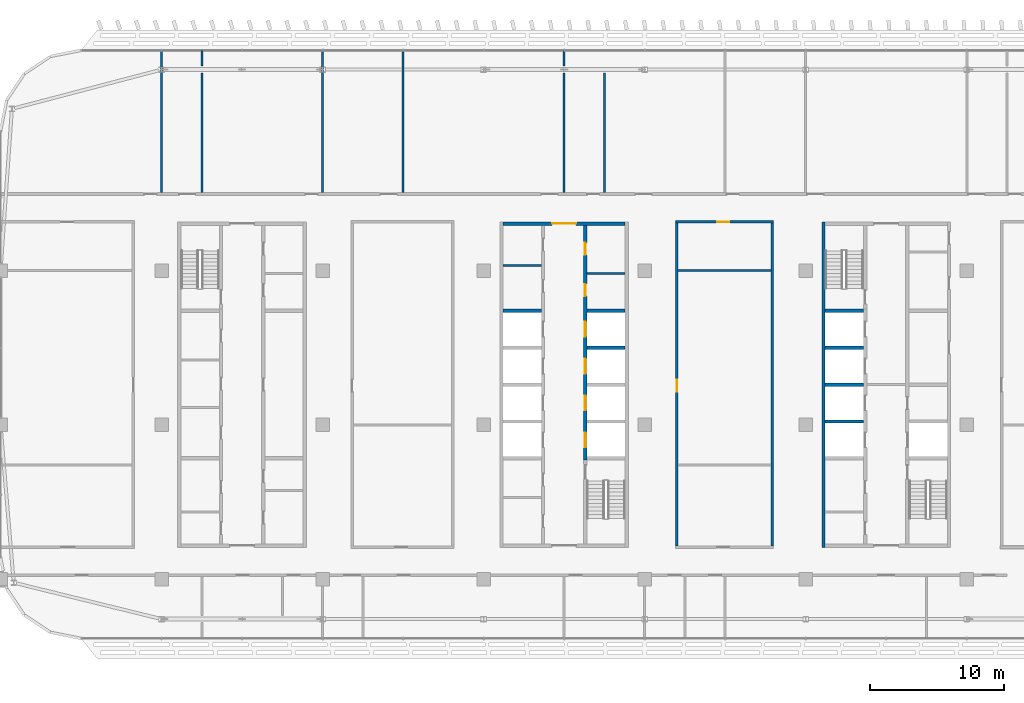
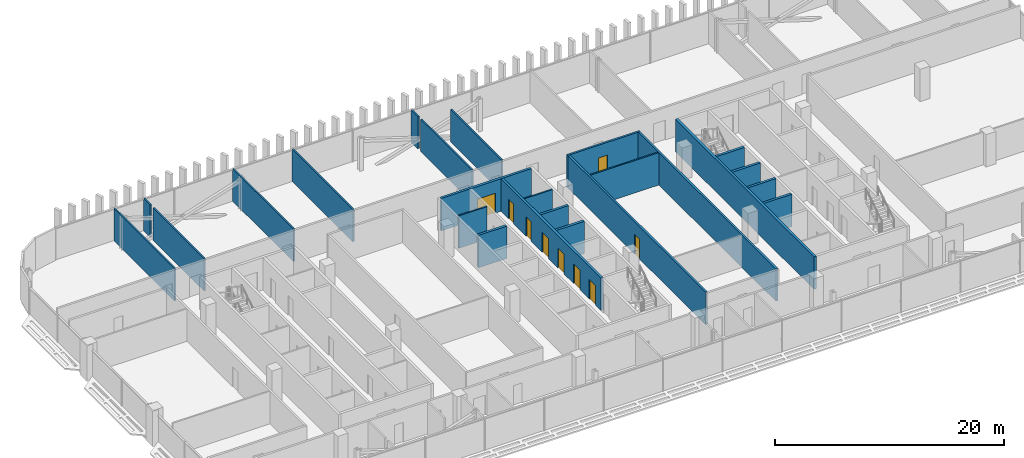
# One storey, part 19 of 32: 24 walls, 9 doors, 9 openings.
"""IFC4 building model written with IfcOpenShell, lengths in metres."""

from ifc_helpers import new_model, si_unit, direction, frame, frame_2d, origin, place, context, subcontext, project, spatial, rectangle, extrude, material, layer, layer_set, type_object, element, fill, save


model = new_model("IFC4")

# Units and contexts
model_context = context("Model", 3, precision=1e-05, world=origin(), true_north=direction((0.0, 1.0)))
body_context = subcontext(model_context, "Body", "Model", "MODEL_VIEW")
ifc_project = project(units=[si_unit("LENGTHUNIT", "METRE"), si_unit("AREAUNIT", "SQUARE_METRE"), si_unit("VOLUMEUNIT", "CUBIC_METRE"), si_unit("PLANEANGLEUNIT", "RADIAN"), si_unit("MASSUNIT", "GRAM", prefix="KILO")], contexts=[model_context])

# Site, building, storey
site_placement = place(None, origin())
site = spatial("IfcSite", under=ifc_project, at=site_placement, CompositionType="ELEMENT")
building_placement = place(site_placement, origin())
building = spatial("IfcBuilding", under=site, at=building_placement, Name="Mahtab Terrace Research Tower", CompositionType="ELEMENT")
storey_placement = place(building_placement, frame((0.0, 0.0, 240.0)))
storey = spatial("IfcBuildingStorey", under=building, at=storey_placement, Name="L58", CompositionType="ELEMENT", Elevation=240.0)

# Walls
ifc_material_1 = material(Name="Gypsum board partition")
ifc_layer_1 = layer(ifc_material_1, 0.14990234375)
ifc_layer_set_1 = layer_set([ifc_layer_1], Name="Core partition 150")
wall_type_1 = type_object("IfcWallType", Name="Core partition 150", PredefinedType="PARTITIONING", material=ifc_layer_set_1)
for number, where, z_axis, x_axis, name in (
    (1, (-4.550048828125, 11.875, 0.0), (0.0, 0.0, 1.0), (1.0, 0.0, 0.0), "Core wall B pWN888"),
    (2, (1.699951171875, 11.27490234375, 0.0), (0.0, 0.0, 1.0), (1.0, 0.0, 0.0), "Core wall B pEN828"),
):
    element("IfcWall", number, at=place(storey_placement, frame(where, z_axis=z_axis, x_axis=x_axis)), inside=storey, type_object=wall_type_1, Name=name, PredefinedType="PARTITIONING", context=body_context, shape_type="SweptSolid", body=[
        extrude(rectangle(XDim=2.85009765625, YDim=0.14990234375, at=frame_2d((1.425048828125, 0.0))), origin(), (0.0, 0.0, 1.0), 3.4599609375),
    ])

# Wall, opening, door
ifc_material_2 = material(Name="Concrete C70/85", Category="concrete")
ifc_layer_2 = layer(ifc_material_2, 0.25)
ifc_layer_set_2 = layer_set([ifc_layer_2], Name="Core wall 250")
wall_type_2 = type_object("IfcWallType", Name="Core wall 250", PredefinedType="SOLIDWALL", material=ifc_layer_set_2)
wall_1_placement = place(storey_placement, frame((-4.550048828125, 15.0, 0.0), z_axis=(0.0, 0.0, 1.0), x_axis=(1.0, 0.0, 0.0)))
wall_1 = element("IfcWall", 3, at=wall_1_placement, inside=storey, type_object=wall_type_2, Name="Core wall B endN", PredefinedType="SOLIDWALL", context=body_context, shape_type="SweptSolid", body=[
    extrude(rectangle(XDim=9.10009765625, YDim=0.25, at=frame_2d((4.550048828125, 0.0))), origin(), (0.0, 0.0, 1.0), 3.4599609375),
])
opening_1_placement = place(wall_1_placement, frame((3.64990234375, 0.0, 0.0)))
opening_1 = element("IfcOpeningElement", 4, at=opening_1_placement, cuts=wall_1, Name="Opening B-N1", PredefinedType="OPENING", context=body_context, shape_type="SweptSolid", body=[
    extrude(rectangle(XDim=1.800048828125, YDim=2.10009765625, at=frame_2d((0.89990234375, 1.050048828125))), frame((0.0, 0.135009765625, 0.0), z_axis=(0.0, -1.0, 0.0), x_axis=(1.0, 0.0, 0.0)), (0.0, 0.0, 1.0), 0.27001953125),
])
ifc_material_3 = material(Name="Steel fire door", Category="steel")
door_type_1 = type_object("IfcDoorType", Name="Lobby double door 1800x2100 1 HR", OperationType="DOUBLE_DOOR_SINGLE_SWING", PredefinedType="DOOR", material=ifc_material_3)
door_1_placement = place(opening_1_placement, origin())
door_1 = element("IfcDoor", 5, at=door_1_placement, inside=storey, type_object=door_type_1, Name="Core entrance door B N", OperationType="DOUBLE_DOOR_SINGLE_SWING", OverallHeight=2.10009765625, OverallWidth=1.800048828125, PredefinedType="DOOR", context=body_context, shape_type="SweptSolid", body=[
    extrude(rectangle(XDim=1.800048828125, YDim=2.10009765625, at=frame_2d((0.89990234375, 1.050048828125))), frame((0.0, 0.02490234375, 0.0), z_axis=(0.0, -1.0, 0.0), x_axis=(1.0, 0.0, 0.0)), (0.0, 0.0, 1.0), 0.050048828125),
])
fill(opening_1, door_1)

# Wall, openings, doors
wall_2_placement = place(storey_placement, frame((1.574951171875, 14.875, 0.0), z_axis=(0.0, 0.0, 1.0), x_axis=(0.0, -1.0, 0.0)))
wall_2 = element("IfcWall", 6, at=wall_2_placement, inside=storey, type_object=wall_type_2, Name="Core wall B innerELN", PredefinedType="SOLIDWALL", context=body_context, shape_type="SweptSolid", body=[
    extrude(rectangle(XDim=17.5, YDim=0.25, at=frame_2d((8.75, 0.0))), origin(), (0.0, 0.0, 1.0), 3.4599609375),
])
opening_2_placement = place(wall_2_placement, frame((15.449951171875, 0.0, 0.0)))
opening_2 = element("IfcOpeningElement", 7, at=opening_2_placement, cuts=wall_2, Name="Opening LD13-L58", PredefinedType="OPENING", context=body_context, shape_type="SweptSolid", body=[
    extrude(rectangle(XDim=1.10009765625, YDim=2.10009765625, at=frame_2d((0.550048828125, 1.050048828125))), frame((0.0, 0.135009765625, 0.0), z_axis=(0.0, -1.0, 0.0), x_axis=(1.0, 0.0, 0.0)), (0.0, 0.0, 1.0), 0.27001953125),
])
opening_3_placement = place(wall_2_placement, frame((12.699951171875, 0.0, 0.0)))
opening_3 = element("IfcOpeningElement", 8, at=opening_3_placement, cuts=wall_2, Name="Opening LD14-L58", PredefinedType="OPENING", context=body_context, shape_type="SweptSolid", body=[
    extrude(rectangle(XDim=1.10009765625, YDim=2.10009765625, at=frame_2d((0.550048828125, 1.050048828125))), frame((0.0, 0.135009765625, 0.0), z_axis=(0.0, -1.0, 0.0), x_axis=(1.0, 0.0, 0.0)), (0.0, 0.0, 1.0), 0.27001953125),
])
opening_4_placement = place(wall_2_placement, frame((9.949951171875, 0.0, 0.0)))
opening_4 = element("IfcOpeningElement", 9, at=opening_4_placement, cuts=wall_2, Name="Opening LD15-L58", PredefinedType="OPENING", context=body_context, shape_type="SweptSolid", body=[
    extrude(rectangle(XDim=1.10009765625, YDim=2.10009765625, at=frame_2d((0.550048828125, 1.050048828125))), frame((0.0, 0.135009765625, 0.0), z_axis=(0.0, -1.0, 0.0), x_axis=(1.0, 0.0, 0.0)), (0.0, 0.0, 1.0), 0.27001953125),
])
opening_5_placement = place(wall_2_placement, frame((7.199951171875, 0.0, 0.0)))
opening_5 = element("IfcOpeningElement", 10, at=opening_5_placement, cuts=wall_2, Name="Opening LD16-L58", PredefinedType="OPENING", context=body_context, shape_type="SweptSolid", body=[
    extrude(rectangle(XDim=1.10009765625, YDim=2.10009765625, at=frame_2d((0.550048828125, 1.050048828125))), frame((0.0, 0.135009765625, 0.0), z_axis=(0.0, -1.0, 0.0), x_axis=(1.0, 0.0, 0.0)), (0.0, 0.0, 1.0), 0.27001953125),
])
opening_6_placement = place(wall_2_placement, frame((4.387451171875, 0.0, 0.0)))
opening_6 = element("IfcOpeningElement", 11, at=opening_6_placement, cuts=wall_2, Name="Opening B-R5", PredefinedType="OPENING", context=body_context, shape_type="SweptSolid", body=[
    extrude(rectangle(XDim=0.89990234375, YDim=2.10009765625, at=frame_2d((0.449951171875, 1.050048828125))), frame((0.0, 0.135009765625, 0.0), z_axis=(0.0, -1.0, 0.0), x_axis=(1.0, 0.0, 0.0)), (0.0, 0.0, 1.0), 0.27001953125),
])
opening_7_placement = place(wall_2_placement, frame((1.3125, 0.0, 0.0)))
opening_7 = element("IfcOpeningElement", 12, at=opening_7_placement, cuts=wall_2, Name="Opening B-R6", PredefinedType="OPENING", context=body_context, shape_type="SweptSolid", body=[
    extrude(rectangle(XDim=0.89990234375, YDim=2.10009765625, at=frame_2d((0.449951171875, 1.050048828125))), frame((0.0, 0.135009765625, 0.0), z_axis=(0.0, -1.0, 0.0), x_axis=(1.0, 0.0, 0.0)), (0.0, 0.0, 1.0), 0.27001953125),
])
ifc_material_4 = material(Name="Stainless steel AISI 304", Category="steel")
door_type_2 = type_object("IfcDoorType", Name="Landing door 1100x2100", OperationType="DOUBLE_DOOR_SLIDING", PredefinedType="DOOR", material=ifc_material_4)
door_2_placement = place(opening_2_placement, origin())
door_2 = element("IfcDoor", 13, at=door_2_placement, inside=storey, type_object=door_type_2, Name="Landing door HR5 L58", OperationType="DOUBLE_DOOR_SLIDING", OverallHeight=2.10009765625, OverallWidth=1.10009765625, PredefinedType="DOOR", context=body_context, shape_type="SweptSolid", body=[
    extrude(rectangle(XDim=1.10009765625, YDim=2.10009765625, at=frame_2d((0.550048828125, 1.050048828125))), frame((0.0, 0.02490234375, 0.0), z_axis=(0.0, -1.0, 0.0), x_axis=(1.0, 0.0, 0.0)), (0.0, 0.0, 1.0), 0.050048828125),
])
fill(opening_2, door_2)
door_3_placement = place(opening_3_placement, origin())
door_3 = element("IfcDoor", 14, at=door_3_placement, inside=storey, type_object=door_type_2, Name="Landing door HR6 L58", OperationType="DOUBLE_DOOR_SLIDING", OverallHeight=2.10009765625, OverallWidth=1.10009765625, PredefinedType="DOOR", context=body_context, shape_type="SweptSolid", body=[
    extrude(rectangle(XDim=1.10009765625, YDim=2.10009765625, at=frame_2d((0.550048828125, 1.050048828125))), frame((0.0, 0.02490234375, 0.0), z_axis=(0.0, -1.0, 0.0), x_axis=(1.0, 0.0, 0.0)), (0.0, 0.0, 1.0), 0.050048828125),
])
fill(opening_3, door_3)
door_4_placement = place(opening_4_placement, origin())
door_4 = element("IfcDoor", 15, at=door_4_placement, inside=storey, type_object=door_type_2, Name="Landing door HR7 L58", OperationType="DOUBLE_DOOR_SLIDING", OverallHeight=2.10009765625, OverallWidth=1.10009765625, PredefinedType="DOOR", context=body_context, shape_type="SweptSolid", body=[
    extrude(rectangle(XDim=1.10009765625, YDim=2.10009765625, at=frame_2d((0.550048828125, 1.050048828125))), frame((0.0, 0.02490234375, 0.0), z_axis=(0.0, -1.0, 0.0), x_axis=(1.0, 0.0, 0.0)), (0.0, 0.0, 1.0), 0.050048828125),
])
fill(opening_4, door_4)
door_5_placement = place(opening_5_placement, origin())
door_5 = element("IfcDoor", 16, at=door_5_placement, inside=storey, type_object=door_type_2, Name="Landing door HR8 L58", OperationType="DOUBLE_DOOR_SLIDING", OverallHeight=2.10009765625, OverallWidth=1.10009765625, PredefinedType="DOOR", context=body_context, shape_type="SweptSolid", body=[
    extrude(rectangle(XDim=1.10009765625, YDim=2.10009765625, at=frame_2d((0.550048828125, 1.050048828125))), frame((0.0, 0.02490234375, 0.0), z_axis=(0.0, -1.0, 0.0), x_axis=(1.0, 0.0, 0.0)), (0.0, 0.0, 1.0), 0.050048828125),
])
fill(opening_5, door_5)
door_type_3 = type_object("IfcDoorType", Name="Room door 900x2100 1 HR", OperationType="NOTDEFINED", PredefinedType="DOOR", material=ifc_material_3)
door_6_placement = place(opening_6_placement, origin())
door_6 = element("IfcDoor", 17, at=door_6_placement, inside=storey, type_object=door_type_3, Name="Accessible WC door", OperationType="SINGLE_SWING_LEFT", OverallHeight=2.10009765625, OverallWidth=0.89990234375, PredefinedType="DOOR", context=body_context, shape_type="SweptSolid", body=[
    extrude(rectangle(XDim=0.89990234375, YDim=2.10009765625, at=frame_2d((0.449951171875, 1.050048828125))), frame((0.0, 0.02490234375, 0.0), z_axis=(0.0, -1.0, 0.0), x_axis=(1.0, 0.0, 0.0)), (0.0, 0.0, 1.0), 0.050048828125),
])
fill(opening_6, door_6)
door_7_placement = place(opening_7_placement, origin())
door_7 = element("IfcDoor", 18, at=door_7_placement, inside=storey, type_object=door_type_3, Name="WC block door", OperationType="SINGLE_SWING_RIGHT", OverallHeight=2.10009765625, OverallWidth=0.89990234375, PredefinedType="DOOR", context=body_context, shape_type="SweptSolid", body=[
    extrude(rectangle(XDim=0.89990234375, YDim=2.10009765625, at=frame_2d((0.449951171875, 1.050048828125))), frame((0.0, 0.02490234375, 0.0), z_axis=(0.0, -1.0, 0.0), x_axis=(1.0, 0.0, 0.0)), (0.0, 0.0, 1.0), 0.050048828125),
])
fill(opening_7, door_7)

# Walls
for number, where, z_axis, x_axis, name in (
    (19, (-4.550048828125, 8.5, 0.0), (0.0, 0.0, 1.0), (1.0, 0.0, 0.0), "Core wall B divW4"),
    (20, (1.699951171875, 5.75, 0.0), (0.0, 0.0, 1.0), (1.0, 0.0, 0.0), "Core wall B divE3"),
    (21, (1.699951171875, 8.5, 0.0), (0.0, 0.0, 1.0), (1.0, 0.0, 0.0), "Core wall B divE4"),
):
    element("IfcWall", number, at=place(storey_placement, frame(where, z_axis=z_axis, x_axis=x_axis)), inside=storey, type_object=wall_type_2, Name=name, PredefinedType="SOLIDWALL", context=body_context, shape_type="SweptSolid", body=[
        extrude(rectangle(XDim=2.85009765625, YDim=0.25, at=frame_2d((1.425048828125, 0.0))), origin(), (0.0, 0.0, 1.0), 3.4599609375),
    ])
wall_3_placement = place(storey_placement, frame((19.324951171875, 15.125, 0.0), z_axis=(0.0, 0.0, 1.0), x_axis=(0.0, -1.0, 0.0)))
element("IfcWall", 22, at=wall_3_placement, inside=storey, type_object=wall_type_2, Name="Core wall C outerW", PredefinedType="SOLIDWALL", context=body_context, shape_type="SweptSolid", body=[
    extrude(rectangle(XDim=24.25, YDim=0.25, at=frame_2d((12.125, 0.0))), origin(), (0.0, 0.0, 1.0), 3.4599609375),
])
for number, where, z_axis, x_axis, name in (
    (23, (19.449951171875, 0.25, 0.0), (0.0, 0.0, 1.0), (1.0, 0.0, 0.0), "Core wall C divW1"),
    (24, (19.449951171875, 3.0, 0.0), (0.0, 0.0, 1.0), (1.0, 0.0, 0.0), "Core wall C divW2"),
    (25, (19.449951171875, 5.75, 0.0), (0.0, 0.0, 1.0), (1.0, 0.0, 0.0), "Core wall C divW3"),
    (26, (19.449951171875, 8.5, 0.0), (0.0, 0.0, 1.0), (1.0, 0.0, 0.0), "Core wall C divW4"),
):
    element("IfcWall", number, at=place(storey_placement, frame(where, z_axis=z_axis, x_axis=x_axis)), inside=storey, type_object=wall_type_2, Name=name, PredefinedType="SOLIDWALL", context=body_context, shape_type="SweptSolid", body=[
        extrude(rectangle(XDim=2.85009765625, YDim=0.25, at=frame_2d((1.425048828125, 0.0))), origin(), (0.0, 0.0, 1.0), 3.4599609375),
    ])

# Wall, opening, door
ifc_material_5 = material(Name="Gypsum board corridor wall on steel studs", Category="steel")
ifc_layer_3 = layer(ifc_material_5, 0.199951171875)
ifc_layer_set_3 = layer_set([ifc_layer_3], Name="WALL CORRIDOR 200")
wall_type_3 = type_object("IfcWallType", Name="WALL CORRIDOR 200", PredefinedType="PARTITIONING", material=ifc_layer_set_3)
wall_4_placement = place(storey_placement, frame((8.300048828125, 15.125, 0.0), z_axis=(0.0, 0.0, 1.0), x_axis=(1.0, 0.0, 0.0)))
wall_4 = element("IfcWall", 27, at=wall_4_placement, inside=storey, type_object=wall_type_3, Name="L58-W023", PredefinedType="PARTITIONING", context=body_context, shape_type="SweptSolid", body=[
    extrude(rectangle(XDim=7.300048828125, YDim=0.199951171875, at=frame_2d((3.64990234375, 0.0))), origin(), (0.0, 0.0, 1.0), 3.4599609375),
])
opening_8_placement = place(wall_4_placement, frame((3.10009765625, 0.0, 0.0)))
opening_8 = element("IfcOpeningElement", 28, at=opening_8_placement, cuts=wall_4, Name="Opening L58-121", PredefinedType="OPENING", context=body_context, shape_type="SweptSolid", body=[
    extrude(rectangle(XDim=0.89990234375, YDim=2.10009765625, at=frame_2d((0.449951171875, 1.050048828125))), frame((0.0, 0.10986328125, 0.0), z_axis=(0.0, -1.0, 0.0), x_axis=(1.0, 0.0, 0.0)), (0.0, 0.0, 1.0), 0.219970703125),
])
ifc_material_6 = material(Name="Timber door leaf in steel frame", Category="steel")
door_type_4 = type_object("IfcDoorType", Name="DOOR 0900X2100 FD30S", OperationType="SINGLE_SWING_LEFT", PredefinedType="DOOR", material=ifc_material_6)
door_8_placement = place(opening_8_placement, origin())
door_8 = element("IfcDoor", 29, at=door_8_placement, inside=storey, type_object=door_type_4, Name="Door L58-121", OperationType="SINGLE_SWING_RIGHT", OverallHeight=2.10009765625, OverallWidth=0.89990234375, PredefinedType="DOOR", context=body_context, shape_type="SweptSolid", body=[
    extrude(rectangle(XDim=0.89990234375, YDim=2.10009765625, at=frame_2d((0.449951171875, 1.050048828125))), frame((0.0, 0.02490234375, 0.0), z_axis=(0.0, -1.0, 0.0), x_axis=(1.0, 0.0, 0.0)), (0.0, 0.0, 1.0), 0.050048828125),
])
fill(opening_8, door_8)

wall_5_placement = place(storey_placement, frame((8.39990234375, -9.02490234375, 0.0), z_axis=(0.0, 0.0, 1.0), x_axis=(0.0, 1.0, 0.0)))
wall_5 = element("IfcWall", 30, at=wall_5_placement, inside=storey, type_object=wall_type_3, Name="L58-W044", PredefinedType="PARTITIONING", context=body_context, shape_type="SweptSolid", body=[
    extrude(rectangle(XDim=24.0498046875, YDim=0.199951171875, at=frame_2d((12.02490234375, 0.0))), origin(), (0.0, 0.0, 1.0), 3.4599609375),
])
opening_9_placement = place(wall_5_placement, frame((11.5, 0.0, 0.0)))
opening_9 = element("IfcOpeningElement", 31, at=opening_9_placement, cuts=wall_5, Name="Opening L58-117", PredefinedType="OPENING", context=body_context, shape_type="SweptSolid", body=[
    extrude(rectangle(XDim=0.89990234375, YDim=2.10009765625, at=frame_2d((0.449951171875, 1.050048828125))), frame((0.0, 0.10986328125, 0.0), z_axis=(0.0, -1.0, 0.0), x_axis=(1.0, 0.0, 0.0)), (0.0, 0.0, 1.0), 0.219970703125),
])
door_9_placement = place(opening_9_placement, origin())
door_9 = element("IfcDoor", 32, at=door_9_placement, inside=storey, type_object=door_type_4, Name="Door L58-117", OperationType="SINGLE_SWING_RIGHT", OverallHeight=2.10009765625, OverallWidth=0.89990234375, PredefinedType="DOOR", context=body_context, shape_type="SweptSolid", body=[
    extrude(rectangle(XDim=0.89990234375, YDim=2.10009765625, at=frame_2d((0.449951171875, 1.050048828125))), frame((0.0, 0.02490234375, 0.0), z_axis=(0.0, -1.0, 0.0), x_axis=(1.0, 0.0, 0.0)), (0.0, 0.0, 1.0), 0.050048828125),
])
fill(opening_9, door_9)

# Walls
wall_6_placement = place(storey_placement, frame((15.5, -9.02490234375, 0.0), z_axis=(0.0, 0.0, 1.0), x_axis=(0.0, 1.0, 0.0)))
element("IfcWall", 33, at=wall_6_placement, inside=storey, type_object=wall_type_3, Name="L58-W048", PredefinedType="PARTITIONING", context=body_context, shape_type="SweptSolid", body=[
    extrude(rectangle(XDim=24.0498046875, YDim=0.199951171875, at=frame_2d((12.02490234375, 0.0))), origin(), (0.0, 0.0, 1.0), 3.4599609375),
])
ifc_material_7 = material(Name="Gypsum board partition on steel studs", Category="steel")
ifc_layer_4 = layer(ifc_material_7, 0.14990234375)
ifc_layer_set_4 = layer_set([ifc_layer_4], Name="WALL PARTITION 150")
wall_type_4 = type_object("IfcWallType", Name="WALL PARTITION 150", PredefinedType="PARTITIONING", material=ifc_layer_set_4)
wall_7_placement = place(storey_placement, frame((8.5, 11.5, 0.0), z_axis=(0.0, 0.0, 1.0), x_axis=(1.0, 0.0, 0.0)))
element("IfcWall", 34, at=wall_7_placement, inside=storey, type_object=wall_type_4, Name="L58-W020", PredefinedType="PARTITIONING", context=body_context, shape_type="SweptSolid", body=[
    extrude(rectangle(XDim=6.89990234375, YDim=0.14990234375, at=frame_2d((3.449951171875, 0.0))), origin(), (0.0, 0.0, 1.0), 3.4599609375),
])
wall_8_placement = place(storey_placement, frame((-30.0, 17.300048828125, 0.0), z_axis=(0.0, 0.0, 1.0), x_axis=(0.0, 1.0, 0.0)))
element("IfcWall", 35, at=wall_8_placement, inside=storey, type_object=wall_type_4, Name="L58-W027", PredefinedType="PARTITIONING", context=body_context, shape_type="SweptSolid", body=[
    extrude(rectangle(XDim=10.592041015625, YDim=0.14990234375, at=frame_2d((5.2958984375, 0.0))), origin(), (0.0, 0.0, 1.0), 3.4599609375),
])
wall_9_placement = place(storey_placement, frame((-27.0, 17.300048828125, 0.0), z_axis=(0.0, 0.0, 1.0), x_axis=(0.0, 1.0, 0.0)))
element("IfcWall", 36, at=wall_9_placement, inside=storey, type_object=wall_type_4, Name="L58-W030", PredefinedType="PARTITIONING", context=body_context, shape_type="SweptSolid", body=[
    extrude(rectangle(XDim=8.920654296875, YDim=0.14990234375, at=frame_2d((4.46044921875, 0.0))), origin(), (0.0, 0.0, 1.0), 3.4599609375),
])
wall_10_placement = place(storey_placement, frame((-27.0, 26.725341796875, 0.0), z_axis=(0.0, 0.0, 1.0), x_axis=(0.0, 1.0, 0.0)))
element("IfcWall", 37, at=wall_10_placement, inside=storey, type_object=wall_type_4, Name="L58-W031", PredefinedType="PARTITIONING", context=body_context, shape_type="SweptSolid", body=[
    extrude(rectangle(XDim=1.166748046875, YDim=0.14990234375, at=frame_2d((0.58349609375, 0.0))), origin(), (0.0, 0.0, 1.0), 3.4599609375),
])
for number, where, z_axis, x_axis, name in (
    (38, (-18.0, 17.300048828125, 0.0), (0.0, 0.0, 1.0), (0.0, 1.0, 0.0), "L58-W034"),
    (39, (-12.0, 17.300048828125, 0.0), (0.0, 0.0, 1.0), (0.0, 1.0, 0.0), "L58-W037"),
):
    element("IfcWall", number, at=place(storey_placement, frame(where, z_axis=z_axis, x_axis=x_axis)), inside=storey, type_object=wall_type_4, Name=name, PredefinedType="PARTITIONING", context=body_context, shape_type="SweptSolid", body=[
        extrude(rectangle(XDim=10.592041015625, YDim=0.14990234375, at=frame_2d((5.2958984375, 0.0))), origin(), (0.0, 0.0, 1.0), 3.4599609375),
    ])
wall_11_placement = place(storey_placement, frame((0.0, 17.300048828125, 0.0), z_axis=(0.0, 0.0, 1.0), x_axis=(0.0, 1.0, 0.0)))
element("IfcWall", 40, at=wall_11_placement, inside=storey, type_object=wall_type_4, Name="L58-W040", PredefinedType="PARTITIONING", context=body_context, shape_type="SweptSolid", body=[
    extrude(rectangle(XDim=8.920654296875, YDim=0.14990234375, at=frame_2d((4.46044921875, 0.0))), origin(), (0.0, 0.0, 1.0), 3.4599609375),
])
wall_12_placement = place(storey_placement, frame((0.0, 26.725341796875, 0.0), z_axis=(0.0, 0.0, 1.0), x_axis=(0.0, 1.0, 0.0)))
element("IfcWall", 41, at=wall_12_placement, inside=storey, type_object=wall_type_4, Name="L58-W041", PredefinedType="PARTITIONING", context=body_context, shape_type="SweptSolid", body=[
    extrude(rectangle(XDim=1.166748046875, YDim=0.14990234375, at=frame_2d((0.58349609375, 0.0))), origin(), (0.0, 0.0, 1.0), 3.4599609375),
])
wall_13_placement = place(storey_placement, frame((3.0, 17.300048828125, 0.0), z_axis=(0.0, 0.0, 1.0), x_axis=(0.0, 1.0, 0.0)))
element("IfcWall", 42, at=wall_13_placement, inside=storey, type_object=wall_type_4, Name="L58-W042", PredefinedType="PARTITIONING", context=body_context, shape_type="SweptSolid", body=[
    extrude(rectangle(XDim=8.920654296875, YDim=0.14990234375, at=frame_2d((4.46044921875, 0.0))), origin(), (0.0, 0.0, 1.0), 3.4599609375),
])

save(model, "model.ifc")
